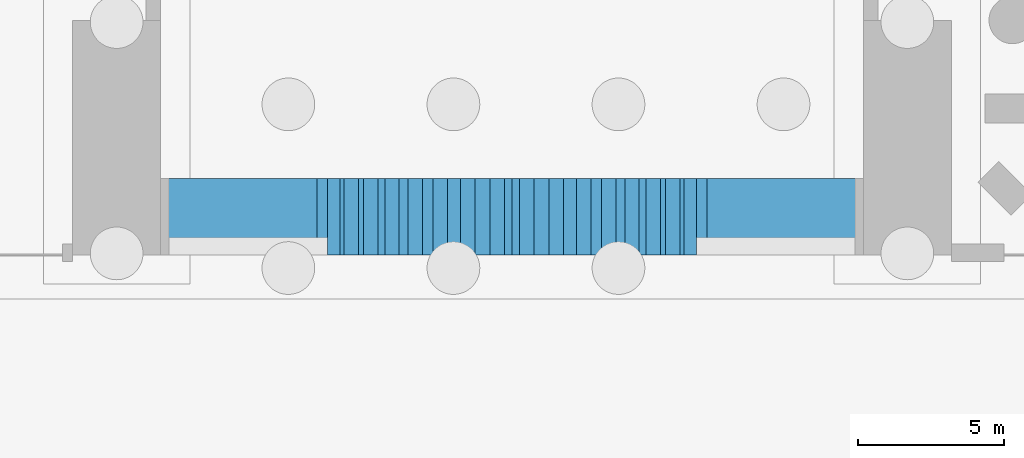
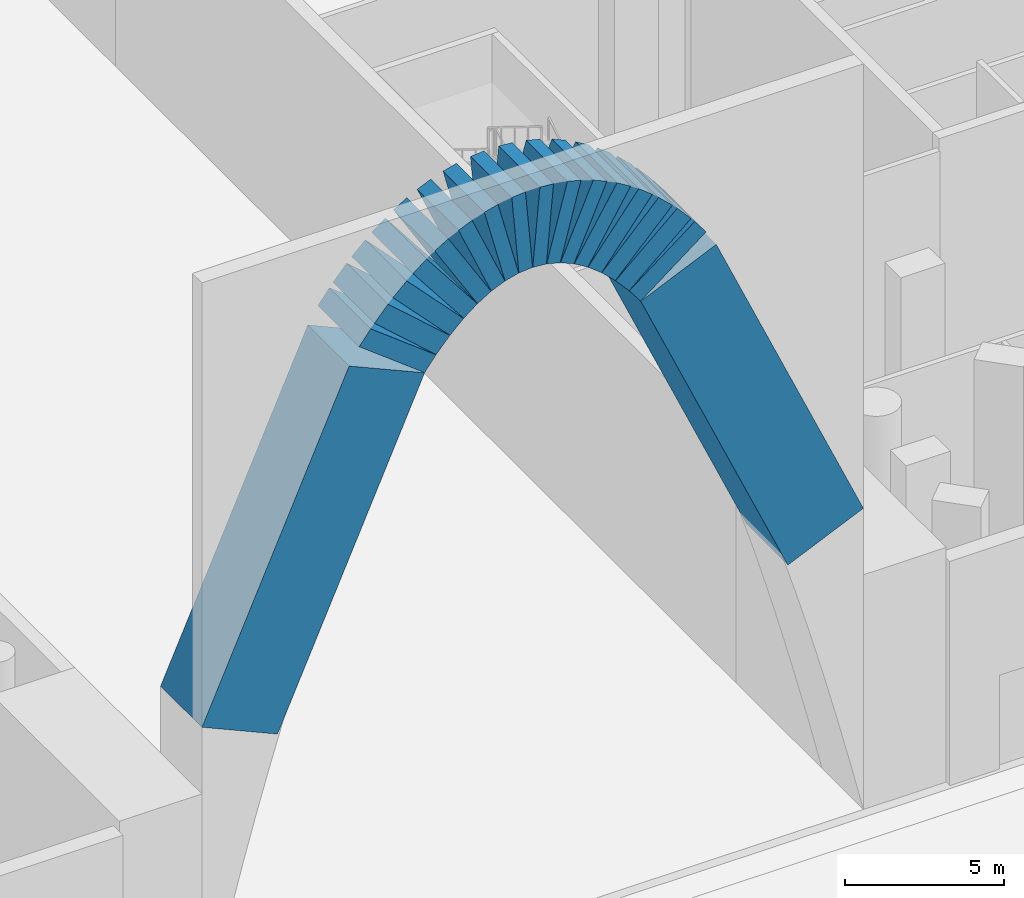
# One storey, part 4 of 25: 18 members.
"""IFC4 building model written with IfcOpenShell, lengths in metres."""

from ifc_helpers import new_model, si_unit, direction, frame, origin, origin_2d, place, context, subcontext, project, spatial, rectangle, extrude, material, material_profile, profile_set, type_object, element, save


model = new_model("IFC4")

# Units and contexts
model_context = context("Model", 3, precision=1e-05, world=origin(), true_north=direction((0.0, 1.0)))
body_context = subcontext(model_context, "Body", "Model", "MODEL_VIEW")
ifc_project = project(units=[si_unit("LENGTHUNIT", "METRE"), si_unit("AREAUNIT", "SQUARE_METRE"), si_unit("VOLUMEUNIT", "CUBIC_METRE"), si_unit("PLANEANGLEUNIT", "RADIAN"), si_unit("MASSUNIT", "GRAM", prefix="KILO")], contexts=[model_context])

# Site, building, storey
site_placement = place(None, origin())
site = spatial("IfcSite", under=ifc_project, at=site_placement, CompositionType="ELEMENT")
building_placement = place(site_placement, origin())
building = spatial("IfcBuilding", under=site, at=building_placement, Name="Cypress Arch Tower", CompositionType="ELEMENT")
storey_placement = place(building_placement, origin())
storey = spatial("IfcBuildingStorey", under=building, at=storey_placement, Name="L00", CompositionType="ELEMENT", Elevation=0.0)

# Members
ifc_material = material(Name="Concrete C80/95", Category="concrete")
ifc_material_profile = material_profile(ifc_material, rectangle(XDim=2.60009765625, YDim=3.0, at=origin_2d()), Name="RC 2600x3000")
ifc_profile_set = profile_set([ifc_material_profile], Name="Concrete C80/95")
member_type = type_object("IfcMemberType", Name="Arch rib RC 2600x3000 Concrete C80/95", PredefinedType="USERDEFINED", material=ifc_profile_set)
member_1_placement = place(storey_placement, frame((-8.629638671875, -26.199951171875, 10.943115234375), z_axis=(0.4067510617, 0.0, 0.913539037921), x_axis=(0.0, 1.0, 0.0)))
element("IfcMember", 1, at=member_1_placement, inside=storey, type_object=member_type, Name="Gate arch rib RIB-S06", ObjectType="ARCH RIB", PredefinedType="USERDEFINED", context=body_context, shape_type="SweptSolid", body=[
    extrude(rectangle(XDim=2.60009765625, YDim=3.0, at=origin_2d()), origin(), (0.0, 0.0, 1.0), 13.125),
])
member_2_placement = place(storey_placement, frame((-3.107177734375, -26.199951171875, 23.2421875), z_axis=(0.609364245785, 0.0, 0.792890418633), x_axis=(0.0, 1.0, 0.0)))
element("IfcMember", 2, at=member_2_placement, inside=storey, type_object=member_type, Name="Gate arch rib RIB-S16", ObjectType="ARCH RIB", PredefinedType="USERDEFINED", context=body_context, shape_type="SweptSolid", body=[
    extrude(rectangle(XDim=2.60009765625, YDim=3.0, at=origin_2d()), origin(), (0.0, 0.0, 1.0), 0.68115234375),
])
member_3_placement = place(storey_placement, frame((-2.621337890625, -26.199951171875, 23.8681640625), z_axis=(0.663349104296, 0.0, 0.748310073319), x_axis=(0.0, 1.0, 0.0)))
element("IfcMember", 3, at=member_3_placement, inside=storey, type_object=member_type, Name="Gate arch rib RIB-S17", ObjectType="ARCH RIB", PredefinedType="USERDEFINED", context=body_context, shape_type="SweptSolid", body=[
    extrude(rectangle(XDim=2.60009765625, YDim=3.0, at=origin_2d()), origin(), (0.0, 0.0, 1.0), 0.7470703125),
])
member_4_placement = place(storey_placement, frame((-2.03466796875, -26.199951171875, 24.521728515625), z_axis=(0.723671260726, 0.0, 0.690144844507), x_axis=(0.0, 1.0, 0.0)))
element("IfcMember", 4, at=member_4_placement, inside=storey, type_object=member_type, Name="Gate arch rib RIB-S18", ObjectType="ARCH RIB", PredefinedType="USERDEFINED", context=body_context, shape_type="SweptSolid", body=[
    extrude(rectangle(XDim=2.60009765625, YDim=3.0, at=origin_2d()), origin(), (0.0, 0.0, 1.0), 0.6845703125),
])
member_5_placement = place(storey_placement, frame((-1.422119140625, -26.199951171875, 25.095458984375), z_axis=(0.788366417361, 0.0, 0.615205975245), x_axis=(0.0, 1.0, 0.0)))
element("IfcMember", 5, at=member_5_placement, inside=storey, type_object=member_type, Name="Gate arch rib RIB-S19", ObjectType="ARCH RIB", PredefinedType="USERDEFINED", context=body_context, shape_type="SweptSolid", body=[
    extrude(rectangle(XDim=2.60009765625, YDim=3.0, at=origin_2d()), origin(), (0.0, 0.0, 1.0), 0.62744140625),
])
member_6_placement = place(storey_placement, frame((-0.77783203125, -26.199951171875, 25.5849609375), z_axis=(0.854988032959, 0.0, 0.518647725818), x_axis=(0.0, 1.0, 0.0)))
element("IfcMember", 6, at=member_6_placement, inside=storey, type_object=member_type, Name="Gate arch rib RIB-S20", ObjectType="ARCH RIB", PredefinedType="USERDEFINED", context=body_context, shape_type="SweptSolid", body=[
    extrude(rectangle(XDim=2.60009765625, YDim=3.0, at=origin_2d()), origin(), (0.0, 0.0, 1.0), 0.57861328125),
])
member_7_placement = place(storey_placement, frame((-0.095947265625, -26.199951171875, 25.981689453125), z_axis=(0.917544609986, 0.0, 0.397632856647), x_axis=(0.0, 1.0, 0.0)))
element("IfcMember", 7, at=member_7_placement, inside=storey, type_object=member_type, Name="Gate arch rib RIB-S21", ObjectType="ARCH RIB", PredefinedType="USERDEFINED", context=body_context, shape_type="SweptSolid", body=[
    extrude(rectangle(XDim=2.60009765625, YDim=3.0, at=origin_2d()), origin(), (0.0, 0.0, 1.0), 0.5390625),
])
member_8_placement = place(storey_placement, frame((0.623291015625, -26.199951171875, 26.2734375), z_axis=(0.967855042263, 0.0, 0.251508682087), x_axis=(0.0, 1.0, 0.0)))
element("IfcMember", 8, at=member_8_placement, inside=storey, type_object=member_type, Name="Gate arch rib RIB-S22", ObjectType="ARCH RIB", PredefinedType="USERDEFINED", context=body_context, shape_type="SweptSolid", body=[
    extrude(rectangle(XDim=2.60009765625, YDim=3.0, at=origin_2d()), origin(), (0.0, 0.0, 1.0), 0.511474609375),
])
for number, where, z_axis, x_axis, name in (
    (9, (1.3720703125, -26.199951171875, 26.445556640625), (0.996262654234, 0.0, 0.086375481352), (0.0, 1.0, 0.0), "Gate arch rib RIB-S23"),
    (10, (2.13232421875, -26.199951171875, 26.488525390625), (0.996262654234, 0.0, -0.086375481352), (0.0, 1.0, 0.0), "Gate arch rib RIB-S24"),
):
    element("IfcMember", number, at=place(storey_placement, frame(where, z_axis=z_axis, x_axis=x_axis)), inside=storey, type_object=member_type, Name=name, ObjectType="ARCH RIB", PredefinedType="USERDEFINED", context=body_context, shape_type="SweptSolid", body=[
        extrude(rectangle(XDim=2.60009765625, YDim=3.0, at=origin_2d()), origin(), (0.0, 0.0, 1.0), 0.49755859375),
    ])
member_9_placement = place(storey_placement, frame((2.881591796875, -26.199951171875, 26.402099609375), z_axis=(0.967855042263, 0.0, -0.251508682087), x_axis=(0.0, 1.0, 0.0)))
element("IfcMember", 11, at=member_9_placement, inside=storey, type_object=member_type, Name="Gate arch rib RIB-S25", ObjectType="ARCH RIB", PredefinedType="USERDEFINED", context=body_context, shape_type="SweptSolid", body=[
    extrude(rectangle(XDim=2.60009765625, YDim=3.0, at=origin_2d()), origin(), (0.0, 0.0, 1.0), 0.511474609375),
])
member_10_placement = place(storey_placement, frame((3.601318359375, -26.199951171875, 26.196044921875), z_axis=(0.917544609986, 0.0, -0.397632856647), x_axis=(0.0, 1.0, 0.0)))
element("IfcMember", 12, at=member_10_placement, inside=storey, type_object=member_type, Name="Gate arch rib RIB-S26", ObjectType="ARCH RIB", PredefinedType="USERDEFINED", context=body_context, shape_type="SweptSolid", body=[
    extrude(rectangle(XDim=2.60009765625, YDim=3.0, at=origin_2d()), origin(), (0.0, 0.0, 1.0), 0.5390625),
])
member_11_placement = place(storey_placement, frame((4.283203125, -26.199951171875, 25.885009765625), z_axis=(0.854988032959, 0.0, -0.518647725818), x_axis=(0.0, 1.0, 0.0)))
element("IfcMember", 13, at=member_11_placement, inside=storey, type_object=member_type, Name="Gate arch rib RIB-S27", ObjectType="ARCH RIB", PredefinedType="USERDEFINED", context=body_context, shape_type="SweptSolid", body=[
    extrude(rectangle(XDim=2.60009765625, YDim=3.0, at=origin_2d()), origin(), (0.0, 0.0, 1.0), 0.57861328125),
])
member_12_placement = place(storey_placement, frame((4.927490234375, -26.199951171875, 25.4814453125), z_axis=(0.788366417361, 0.0, -0.615205975245), x_axis=(0.0, 1.0, 0.0)))
element("IfcMember", 14, at=member_12_placement, inside=storey, type_object=member_type, Name="Gate arch rib RIB-S28", ObjectType="ARCH RIB", PredefinedType="USERDEFINED", context=body_context, shape_type="SweptSolid", body=[
    extrude(rectangle(XDim=2.60009765625, YDim=3.0, at=origin_2d()), origin(), (0.0, 0.0, 1.0), 0.62744140625),
])
member_13_placement = place(storey_placement, frame((5.539306640625, -26.199951171875, 24.994140625), z_axis=(0.723671260726, 0.0, -0.690144844507), x_axis=(0.0, 1.0, 0.0)))
element("IfcMember", 15, at=member_13_placement, inside=storey, type_object=member_type, Name="Gate arch rib RIB-S29", ObjectType="ARCH RIB", PredefinedType="USERDEFINED", context=body_context, shape_type="SweptSolid", body=[
    extrude(rectangle(XDim=2.60009765625, YDim=3.0, at=origin_2d()), origin(), (0.0, 0.0, 1.0), 0.6845703125),
])
member_14_placement = place(storey_placement, frame((6.125732421875, -26.199951171875, 24.42724609375), z_axis=(0.663349104296, 0.0, -0.748310073319), x_axis=(0.0, 1.0, 0.0)))
element("IfcMember", 16, at=member_14_placement, inside=storey, type_object=member_type, Name="Gate arch rib RIB-S30", ObjectType="ARCH RIB", PredefinedType="USERDEFINED", context=body_context, shape_type="SweptSolid", body=[
    extrude(rectangle(XDim=2.60009765625, YDim=3.0, at=origin_2d()), origin(), (0.0, 0.0, 1.0), 0.7470703125),
])
member_15_placement = place(storey_placement, frame((6.692138671875, -26.199951171875, 23.7822265625), z_axis=(0.609364245785, 0.0, -0.792890418633), x_axis=(0.0, 1.0, 0.0)))
element("IfcMember", 17, at=member_15_placement, inside=storey, type_object=member_type, Name="Gate arch rib RIB-S31", ObjectType="ARCH RIB", PredefinedType="USERDEFINED", context=body_context, shape_type="SweptSolid", body=[
    extrude(rectangle(XDim=2.60009765625, YDim=3.0, at=origin_2d()), origin(), (0.0, 0.0, 1.0), 0.68115234375),
])
member_16_placement = place(storey_placement, frame((7.291015625, -26.199951171875, 22.933349609375), z_axis=(0.4067510617, 0.0, -0.913539037921), x_axis=(0.0, 1.0, 0.0)))
element("IfcMember", 18, at=member_16_placement, inside=storey, type_object=member_type, Name="Gate arch rib RIB-S32", ObjectType="ARCH RIB", PredefinedType="USERDEFINED", context=body_context, shape_type="SweptSolid", body=[
    extrude(rectangle(XDim=2.60009765625, YDim=3.0, at=origin_2d()), origin(), (0.0, 0.0, 1.0), 13.125),
])

save(model, "model.ifc")
